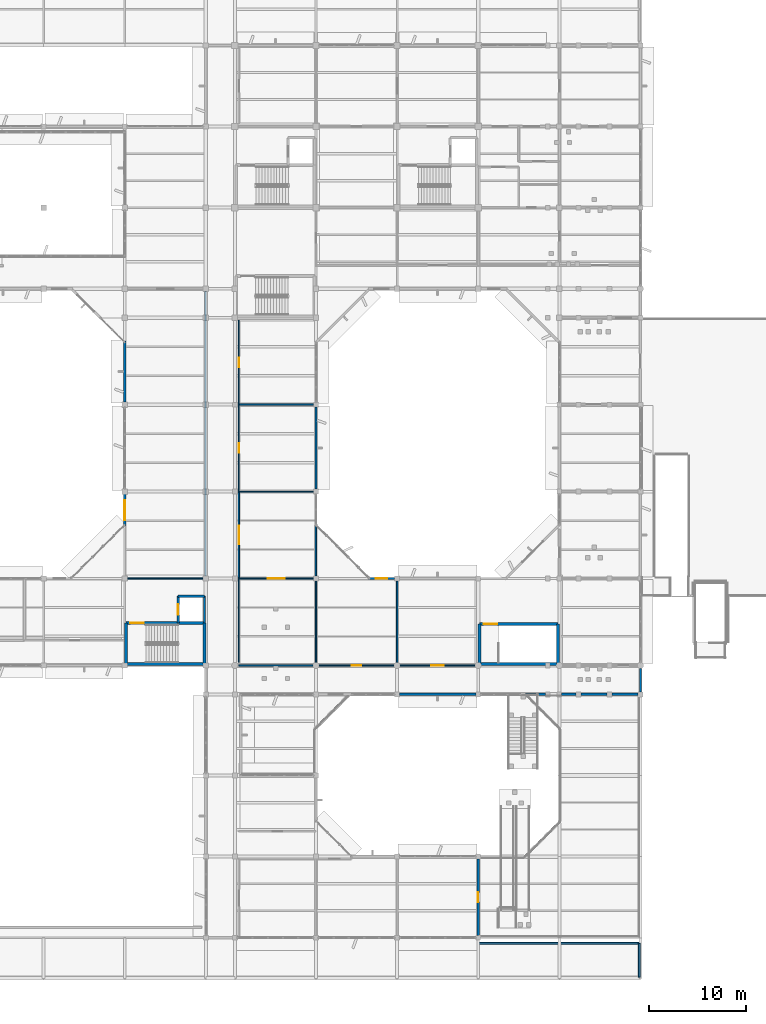
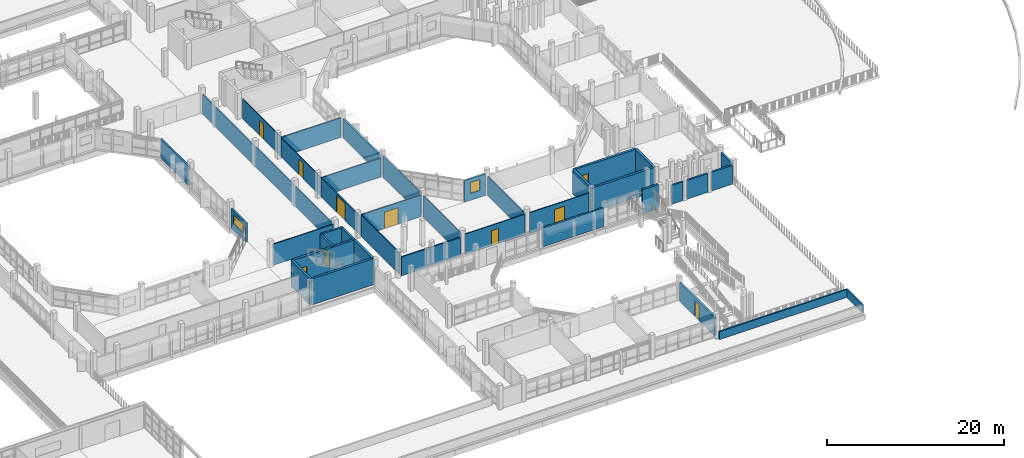
# One storey, part 60 of 92: 39 walls, 10 doors, 2 windows, 12 openings.
"""IFC4 building model written with IfcOpenShell, lengths in metres."""

import ifcopenshell
import ifcopenshell.guid

model = None  # the IFC model being written
_history = None  # IfcOwnerHistory: only IFC2X3 demands one
_inside = {}  # id of a spatial element -> (the spatial element, [elements in it])
_under = {}  # id of a project, library or spatial element -> (it, [spatial elements below it])
_declared = {}  # id of a project -> (the project, [libraries it declares])
_typed = {}  # id of a type object -> (the type object, [elements of that type])
_made_of = {}  # id of a material, layer set ... -> (it, [elements and type objects made of it])


def new_model(schema):
    """Start an empty IFC model of exactly this schema.

    Asked for "IFC4X3", IfcOpenShell would pick the latest addendum, in which some entities
    have other attributes; the version numbers below select the first issue.
    IFC2X3 requires an IfcOwnerHistory on every rooted entity: one is made here for all.
    """
    global model, _history
    if schema == "IFC4X3":
        model = ifcopenshell.file(schema_version=(4, 3, 0, 0))
    else:
        model = ifcopenshell.file(schema=schema)
    _inside.clear()
    _under.clear()
    _declared.clear()
    _typed.clear()
    _made_of.clear()
    _history = None
    if model.schema == "IFC2X3":
        org = make("IfcOrganization", Name="unknown")
        user = make(
            "IfcPersonAndOrganization",
            ThePerson=make("IfcPerson", FamilyName="unknown"),
            TheOrganization=org,
        )
        app = make(
            "IfcApplication",
            ApplicationDeveloper=org,
            Version="unknown",
            ApplicationFullName="unknown",
            ApplicationIdentifier="unknown",
        )
        _history = make(
            "IfcOwnerHistory",
            OwningUser=user,
            OwningApplication=app,
            ChangeAction="ADDED",
            CreationDate=0,
        )
    return model


def make(cls, **values):
    """One entity of the class cls with the attributes given. An attribute that is None is left unset."""
    return model.create_entity(
        cls, **{name: value for name, value in values.items() if value is not None}
    )


def rooted(cls, **values):
    """An entity with a GlobalId (a new one), such as an element, a storey or a relation."""
    return make(cls, GlobalId=ifcopenshell.guid.new(), OwnerHistory=_history, **values)


def si_unit(unit_type, name, prefix=None):
    """IfcSIUnit, for example si_unit("LENGTHUNIT", "METRE", prefix="MILLI")."""
    return make("IfcSIUnit", UnitType=unit_type, Prefix=prefix, Name=name)


def assignment(units):
    """IfcUnitAssignment: the units of a project."""
    return None if units is None else make("IfcUnitAssignment", Units=units)


def point(xyz):
    """IfcCartesianPoint."""
    return None if xyz is None else make("IfcCartesianPoint", Coordinates=xyz)


def direction(xyz):
    """IfcDirection."""
    return None if xyz is None else make("IfcDirection", DirectionRatios=xyz)


def frame(location, z_axis=None, x_axis=None):
    """IfcAxis2Placement3D, a coordinate frame: its origin and axes. An axis left out is left unset."""
    return make(
        "IfcAxis2Placement3D",
        Location=point(location),
        Axis=direction(z_axis),
        RefDirection=direction(x_axis),
    )


def frame_2d(location, x_axis=None):
    """IfcAxis2Placement2D, a coordinate frame in the plane: its origin and x axis."""
    return make(
        "IfcAxis2Placement2D", Location=point(location), RefDirection=direction(x_axis)
    )


def origin():
    """The frame at (0, 0, 0) with its axes left unset."""
    return frame((0.0, 0.0, 0.0))


def place(relative_to, where):
    """IfcLocalPlacement: puts the frame where relative to a parent placement (None: the world)."""
    return make(
        "IfcLocalPlacement", PlacementRelTo=relative_to, RelativePlacement=where
    )


def context(
    kind, dimensions, precision=None, world=None, true_north=None, identifier=None
):
    """IfcGeometricRepresentationContext, for example the 3D "Model" context."""
    return make(
        "IfcGeometricRepresentationContext",
        ContextIdentifier=identifier,
        ContextType=kind,
        CoordinateSpaceDimension=dimensions,
        Precision=precision,
        WorldCoordinateSystem=world,
        TrueNorth=true_north,
    )


def subcontext(parent, identifier, kind, view, scale=None):
    """IfcGeometricRepresentationSubContext, for example "Body" below "Model"."""
    return make(
        "IfcGeometricRepresentationSubContext",
        ContextIdentifier=identifier,
        ContextType=kind,
        ParentContext=parent,
        TargetScale=scale,
        TargetView=view,
    )


def project(units=None, contexts=None):
    """IfcProject with its units and contexts."""
    return rooted(
        "IfcProject",
        Name="project",
        RepresentationContexts=contexts,
        UnitsInContext=assignment(units),
    )


def spatial(cls, under=None, at=None, **own):
    """A site, building, storey or space (cls), placed at a placement, below another one or the project."""
    s = rooted(cls, ObjectPlacement=at, **own)
    if under is not None:
        _under.setdefault(under.id(), (under, []))[1].append(s)
    return s


def profile(cls, at=None, kind="AREA", **sizes):
    """A parametric profile (cls). Its sizes go by their IFC names, for example OverallWidth=200.0."""
    return make(cls, ProfileType=kind, Position=at, **sizes)


def rectangle(**sizes):
    """IfcRectangleProfileDef."""
    return profile("IfcRectangleProfileDef", **sizes)


def extrude(swept, where, along, depth):
    """IfcExtrudedAreaSolid: the profile swept, set in the frame where, extruded along a direction by depth."""
    return make(
        "IfcExtrudedAreaSolid",
        SweptArea=swept,
        Position=where,
        ExtrudedDirection=direction(along),
        Depth=depth,
    )


def shape(context_of_items, identifier, shape_type, items):
    """IfcShapeRepresentation: the items that make up one representation, for example the "Body"."""
    return make(
        "IfcShapeRepresentation",
        ContextOfItems=context_of_items,
        RepresentationIdentifier=identifier,
        RepresentationType=shape_type,
        Items=items,
    )


def material(Name=None, Category=None):
    """IfcMaterial."""
    return make("IfcMaterial", Name=Name, Category=Category)


def layer(
    of_material, thickness, ventilated=None, Name=None, Category=None, Priority=None
):
    """IfcMaterialLayer: one layer of a wall or slab, of a material (None: an air gap)."""
    return make(
        "IfcMaterialLayer",
        Material=of_material,
        LayerThickness=thickness,
        IsVentilated=ventilated,
        Name=Name,
        Category=Category,
        Priority=Priority,
    )


def layer_set(layers, Name=None):
    """IfcMaterialLayerSet."""
    return make("IfcMaterialLayerSet", MaterialLayers=layers, LayerSetName=Name)


def made_of(thing, what):
    """Note that an element or type object is made of a material, layer set ...; save() writes the relation."""
    if what is not None:
        _made_of.setdefault(what.id(), (what, []))[1].append(thing)
    return thing


def type_object(cls, material=None, **own):
    """A type object (cls), such as IfcWallType, which elements share."""
    return made_of(rooted(cls, **own), material)


def element(
    cls,
    number,
    at=None,
    inside=None,
    cuts=None,
    type_object=None,
    material=None,
    context=None,
    identifier="Body",
    shape_type=None,
    held_by="IfcProductDefinitionShape",
    body=None,
    shapes=None,
    **own,
):
    """One element of the class cls, such as IfcWall. Its Tag is "e" and its number.

    at: its placement. inside: the storey or other place that contains it. cuts: it is an
    opening in that element (IfcRelVoidsElement). A single representation is given by context,
    identifier, shape_type and body (its items); several are given by shapes. held_by: the class
    of the entity that holds the representations. save() writes the other relations.
    """
    e = rooted(cls, Tag="e%d" % number, ObjectPlacement=at, **own)
    if body is not None:
        shapes = [shape(context, identifier, shape_type, body)]
    if shapes is not None:
        e.Representation = make(held_by, Representations=shapes)
    if inside is not None:
        _inside.setdefault(inside.id(), (inside, []))[1].append(e)
    if cuts is not None:
        rooted(
            "IfcRelVoidsElement", RelatingBuildingElement=cuts, RelatedOpeningElement=e
        )
    if type_object is not None:
        _typed.setdefault(type_object.id(), (type_object, []))[1].append(e)
    return made_of(e, material)


def fill(opening, filler):
    """IfcRelFillsElement: the door or window that sits in an opening."""
    return rooted(
        "IfcRelFillsElement",
        RelatingOpeningElement=opening,
        RelatedBuildingElement=filler,
    )


def aggregate(whole, parts):
    """IfcRelAggregates: a whole, such as a stair, and the parts it consists of."""
    return rooted("IfcRelAggregates", RelatingObject=whole, RelatedObjects=parts)


def save(model, path):
    """Write the relations noted so far, then the file.

    IfcRelAggregates (storeys below a building ...), IfcRelContainedInSpatialStructure (elements
    in a storey), IfcRelDefinesByType, IfcRelAssociatesMaterial and IfcRelDeclares: one each for
    every whole, place, type object, material and project.
    """
    for whole, parts in _under.values():
        aggregate(whole, parts)
    for where, things in _inside.values():
        rooted(
            "IfcRelContainedInSpatialStructure",
            RelatedElements=things,
            RelatingStructure=where,
        )
    for kind, things in _typed.values():
        rooted("IfcRelDefinesByType", RelatedObjects=things, RelatingType=kind)
    for what, things in _made_of.values():
        rooted("IfcRelAssociatesMaterial", RelatedObjects=things, RelatingMaterial=what)
    for by, libraries in _declared.values():
        rooted("IfcRelDeclares", RelatingContext=by, RelatedDefinitions=libraries)
    model.write(path)


model = new_model("IFC4")

# Units and contexts
model_context = context("Model", 3, precision=1e-05, world=origin(), true_north=direction((0.0, 1.0)))
body_context = subcontext(model_context, "Body", "Model", "MODEL_VIEW")
ifc_project = project(units=[si_unit("LENGTHUNIT", "METRE"), si_unit("AREAUNIT", "SQUARE_METRE"), si_unit("VOLUMEUNIT", "CUBIC_METRE"), si_unit("PLANEANGLEUNIT", "RADIAN"), si_unit("MASSUNIT", "GRAM", prefix="KILO")], contexts=[model_context])

# Site, building, storey
site_placement = place(None, origin())
site = spatial("IfcSite", under=ifc_project, at=site_placement, CompositionType="ELEMENT")
building_placement = place(site_placement, origin())
building = spatial("IfcBuilding", under=site, at=building_placement, Name="Vanh Quang Courtyard School", CompositionType="ELEMENT")
storey_placement = place(building_placement, frame((0.0, 0.0, 7.800048828125)))
storey = spatial("IfcBuildingStorey", under=building, at=storey_placement, Name="L02", CompositionType="ELEMENT", Elevation=7.800048828125)

# Walls
ifc_material_1 = material(Name="Concrete C35/45", Category="concrete")
ifc_layer_1 = layer(ifc_material_1, 0.300048828125)
ifc_layer_set_1 = layer_set([ifc_layer_1], Name="Concrete C35/45")
wall_type_1 = type_object("IfcWallType", Name="W-CORE-300", PredefinedType="SHEAR", material=ifc_layer_set_1)
wall_1_placement = place(storey_placement, frame((66.139892578125, 32.5400390625, 0.0), z_axis=(0.0, 0.0, 1.0), x_axis=(1.0, 0.0, 0.0)))
element("IfcWall", 1, at=wall_1_placement, inside=storey, type_object=wall_type_1, Name="Wall W-CORE1 (L02)", PredefinedType="SHEAR", context=body_context, shape_type="SweptSolid", body=[
    extrude(rectangle(XDim=8.1201171875, YDim=0.300048828125, at=frame_2d((4.06005859375, 0.0))), origin(), (0.0, 0.0, 1.0), 3.599853515625),
])
wall_2_placement = place(storey_placement, frame((74.260009765625, 32.5400390625, 0.0), z_axis=(0.0, 0.0, 1.0), x_axis=(0.0, 1.0, 0.0)))
element("IfcWall", 2, at=wall_2_placement, inside=storey, type_object=wall_type_1, Name="Wall W-CORE1 (L02)", PredefinedType="SHEAR", context=body_context, shape_type="SweptSolid", body=[
    extrude(rectangle(XDim=4.239990234375, YDim=0.300048828125, at=frame_2d((2.1201171875, 0.0))), origin(), (0.0, 0.0, 1.0), 3.599853515625),
])

# Wall, opening, door
wall_3_placement = place(storey_placement, frame((74.260009765625, 36.780029296875, 0.0), z_axis=(0.0, 0.0, 1.0), x_axis=(-1.0, 0.0, 0.0)))
wall_3 = element("IfcWall", 3, at=wall_3_placement, inside=storey, type_object=wall_type_1, Name="Wall W-CORE1 (L02)", PredefinedType="SHEAR", context=body_context, shape_type="SweptSolid", body=[
    extrude(rectangle(XDim=8.1201171875, YDim=0.300048828125, at=frame_2d((4.06005859375, 0.0))), origin(), (0.0, 0.0, 1.0), 3.599853515625),
])
opening_1_placement = place(wall_3_placement, frame((6.27001953125, 0.0, 0.0)))
opening_1 = element("IfcOpeningElement", 4, at=opening_1_placement, cuts=wall_3, Name="Opening L02-DS4", PredefinedType="OPENING", context=body_context, shape_type="SweptSolid", body=[
    extrude(rectangle(XDim=1.419921875, YDim=2.14990234375, at=frame_2d((0.7099609375, 1.074951171875))), frame((0.0, 0.16015625, 0.0), z_axis=(0.0, -1.0, 0.0), x_axis=(1.0, 0.0, 0.0)), (0.0, 0.0, 1.0), 0.320068359375),
])
ifc_material_2 = material(Name="Painted galvanised steel fire door", Category="steel")
door_type_1 = type_object("IfcDoorType", Name="IDR-ST-1420x2150", OperationType="NOTDEFINED", PredefinedType="DOOR", material=ifc_material_2)
door_1_placement = place(opening_1_placement, frame((1.419921875, 0.0, 0.0), z_axis=(0.0, 0.0, 1.0), x_axis=(-1.0, 0.0, 0.0)))
door_1 = element("IfcDoor", 5, at=door_1_placement, inside=storey, type_object=door_type_1, Name="Door L02-DS4 (L02)", OperationType="SINGLE_SWING_RIGHT", OverallHeight=2.14990234375, OverallWidth=1.419921875, PredefinedType="DOOR", context=body_context, shape_type="SweptSolid", body=[
    extrude(rectangle(XDim=1.419921875, YDim=2.14990234375, at=frame_2d((0.7099609375, 1.074951171875))), frame((0.0, 0.02490234375, 0.0), z_axis=(0.0, -1.0, 0.0), x_axis=(1.0, 0.0, 0.0)), (0.0, 0.0, 1.0), 0.050048828125),
])
fill(opening_1, door_1)

# Walls
wall_4_placement = place(storey_placement, frame((66.139892578125, 36.780029296875, 0.0), z_axis=(0.0, 0.0, 1.0), x_axis=(0.0, -1.0, 0.0)))
element("IfcWall", 6, at=wall_4_placement, inside=storey, type_object=wall_type_1, Name="Wall W-CORE1 (L02)", PredefinedType="SHEAR", context=body_context, shape_type="SweptSolid", body=[
    extrude(rectangle(XDim=4.239990234375, YDim=0.300048828125, at=frame_2d((2.1201171875, 0.0))), origin(), (0.0, 0.0, 1.0), 3.599853515625),
])
wall_5_placement = place(storey_placement, frame((102.739990234375, 32.5400390625, 0.0), z_axis=(0.0, 0.0, 1.0), x_axis=(1.0, 0.0, 0.0)))
element("IfcWall", 7, at=wall_5_placement, inside=storey, type_object=wall_type_1, Name="Wall W-CORE1 (L02)", PredefinedType="SHEAR", context=body_context, shape_type="SweptSolid", body=[
    extrude(rectangle(XDim=8.1201171875, YDim=0.300048828125, at=frame_2d((4.06005859375, 0.0))), origin(), (0.0, 0.0, 1.0), 3.33984375),
])
wall_6_placement = place(storey_placement, frame((110.860107421875, 32.5400390625, 0.0), z_axis=(0.0, 0.0, 1.0), x_axis=(0.0, 1.0, 0.0)))
element("IfcWall", 8, at=wall_6_placement, inside=storey, type_object=wall_type_1, Name="Wall W-CORE1 (L02)", PredefinedType="SHEAR", context=body_context, shape_type="SweptSolid", body=[
    extrude(rectangle(XDim=4.139892578125, YDim=0.300048828125, at=frame_2d((2.06982421875, 0.0))), origin(), (0.0, 0.0, 1.0), 3.33984375),
])

# Wall, opening, door
wall_7_placement = place(storey_placement, frame((110.860107421875, 36.679931640625, 0.0), z_axis=(0.0, 0.0, 1.0), x_axis=(-1.0, 0.0, 0.0)))
wall_7 = element("IfcWall", 9, at=wall_7_placement, inside=storey, type_object=wall_type_1, Name="Wall W-CORE1 (L02)", PredefinedType="SHEAR", context=body_context, shape_type="SweptSolid", body=[
    extrude(rectangle(XDim=8.1201171875, YDim=0.300048828125, at=frame_2d((4.06005859375, 0.0))), origin(), (0.0, 0.0, 1.0), 3.33984375),
])
opening_2_placement = place(wall_7_placement, frame((6.27001953125, 0.0, 0.0)))
opening_2 = element("IfcOpeningElement", 10, at=opening_2_placement, cuts=wall_7, Name="Opening L02-DS8", PredefinedType="OPENING", context=body_context, shape_type="SweptSolid", body=[
    extrude(rectangle(XDim=1.419921875, YDim=2.14990234375, at=frame_2d((0.7099609375, 1.074951171875))), frame((0.0, 0.16015625, 0.0), z_axis=(0.0, -1.0, 0.0), x_axis=(1.0, 0.0, 0.0)), (0.0, 0.0, 1.0), 0.320068359375),
])
door_2_placement = place(opening_2_placement, frame((1.419921875, 0.0, 0.0), z_axis=(0.0, 0.0, 1.0), x_axis=(-1.0, 0.0, 0.0)))
door_2 = element("IfcDoor", 11, at=door_2_placement, inside=storey, type_object=door_type_1, Name="Door L02-DS8 (L02)", OperationType="SINGLE_SWING_LEFT", OverallHeight=2.14990234375, OverallWidth=1.419921875, PredefinedType="DOOR", context=body_context, shape_type="SweptSolid", body=[
    extrude(rectangle(XDim=1.419921875, YDim=2.14990234375, at=frame_2d((0.7099609375, 1.074951171875))), frame((0.0, 0.02490234375, 0.0), z_axis=(0.0, -1.0, 0.0), x_axis=(1.0, 0.0, 0.0)), (0.0, 0.0, 1.0), 0.050048828125),
])
fill(opening_2, door_2)

# Walls
wall_8_placement = place(storey_placement, frame((102.739990234375, 36.679931640625, 0.0), z_axis=(0.0, 0.0, 1.0), x_axis=(0.0, -1.0, 0.0)))
element("IfcWall", 12, at=wall_8_placement, inside=storey, type_object=wall_type_1, Name="Wall W-CORE1 (L02)", PredefinedType="SHEAR", context=body_context, shape_type="SweptSolid", body=[
    extrude(rectangle(XDim=4.139892578125, YDim=0.300048828125, at=frame_2d((2.06982421875, 0.0))), origin(), (0.0, 0.0, 1.0), 3.33984375),
])
ifc_material_3 = material(Name="Precast concrete C40/50", Category="concrete")
ifc_layer_2 = layer(ifc_material_3, 0.239990234375)
ifc_layer_set_2 = layer_set([ifc_layer_2], Name="Precast concrete C40/50")
wall_type_2 = type_object("IfcWallType", Name="W-EXT-240", PredefinedType="SOLIDWALL", material=ifc_layer_set_2)
wall_9_placement = place(storey_placement, frame((119.152099609375, 29.39990234375, 0.0), z_axis=(0.0, 0.0, 1.0), x_axis=(-1.0, 0.0, 0.0)))
element("IfcWall", 13, at=wall_9_placement, inside=storey, type_object=wall_type_2, Name="Wall WE-03 (L02)", PredefinedType="SOLIDWALL", context=body_context, shape_type="SweptSolid", body=[
    extrude(rectangle(XDim=2.7041015625, YDim=0.239990234375, at=frame_2d((1.35205078125, 0.0))), origin(), (0.0, 0.0, 1.0), 2.579833984375),
])
wall_10_placement = place(storey_placement, frame((115.951904296875, 29.39990234375, 0.0), z_axis=(0.0, 0.0, 1.0), x_axis=(-1.0, 0.0, 0.0)))
element("IfcWall", 14, at=wall_10_placement, inside=storey, type_object=wall_type_2, Name="Wall WE-03 (L02)", PredefinedType="SOLIDWALL", context=body_context, shape_type="SweptSolid", body=[
    extrude(rectangle(XDim=2.703857421875, YDim=0.239990234375, at=frame_2d((1.35205078125, 0.0))), origin(), (0.0, 0.0, 1.0), 2.579833984375),
])
wall_11_placement = place(storey_placement, frame((112.751953125, 29.39990234375, 0.0), z_axis=(0.0, 0.0, 1.0), x_axis=(-1.0, 0.0, 0.0)))
element("IfcWall", 15, at=wall_11_placement, inside=storey, type_object=wall_type_2, Name="Wall WE-03 (L02)", PredefinedType="SOLIDWALL", context=body_context, shape_type="SweptSolid", body=[
    extrude(rectangle(XDim=1.50390625, YDim=0.239990234375, at=frame_2d((0.751953125, 0.0))), origin(), (0.0, 0.0, 1.0), 2.579833984375),
])
wall_12_placement = place(storey_placement, frame((109.552001953125, 29.39990234375, 0.0), z_axis=(0.0, 0.0, 1.0), x_axis=(-1.0, 0.0, 0.0)))
element("IfcWall", 16, at=wall_12_placement, inside=storey, type_object=wall_type_2, Name="Wall WE-03 (L02)", PredefinedType="SOLIDWALL", context=body_context, shape_type="SweptSolid", body=[
    extrude(rectangle(XDim=2.0791015625, YDim=0.239990234375, at=frame_2d((1.03955078125, 0.0))), origin(), (0.0, 0.0, 1.0), 3.33984375),
])
wall_13_placement = place(storey_placement, frame((102.35205078125, 29.39990234375, 0.0), z_axis=(0.0, 0.0, 1.0), x_axis=(-1.0, 0.0, 0.0)))
element("IfcWall", 17, at=wall_13_placement, inside=storey, type_object=wall_type_2, Name="Wall WE-03 (L02)", PredefinedType="SOLIDWALL", context=body_context, shape_type="SweptSolid", body=[
    extrude(rectangle(XDim=7.904052734375, YDim=0.239990234375, at=frame_2d((3.9521484375, 0.0))), origin(), (0.0, 0.0, 1.0), 2.579833984375),
])

# Wall, opening, door
wall_14_placement = place(storey_placement, frame((102.60009765625, 12.35205078125, 0.0), z_axis=(0.0, 0.0, 1.0), x_axis=(0.0, -1.0, 0.0)))
wall_14 = element("IfcWall", 18, at=wall_14_placement, inside=storey, type_object=wall_type_2, Name="Wall WE-03 (L02)", PredefinedType="SOLIDWALL", context=body_context, shape_type="SweptSolid", body=[
    extrude(rectangle(XDim=7.904052734375, YDim=0.239990234375, at=frame_2d((3.9521484375, 0.0))), origin(), (0.0, 0.0, 1.0), 2.579833984375),
])
opening_3_placement = place(wall_14_placement, frame((3.451904296875, 0.0, 0.0)))
opening_3 = element("IfcOpeningElement", 19, at=opening_3_placement, cuts=wall_14, Name="Opening L02-PD050", PredefinedType="OPENING", context=body_context, shape_type="SweptSolid", body=[
    extrude(rectangle(XDim=1.0, YDim=2.14990234375, at=frame_2d((0.5, 1.074951171875))), frame((0.0, 0.1298828125, 0.0), z_axis=(0.0, -1.0, 0.0), x_axis=(1.0, 0.0, 0.0)), (0.0, 0.0, 1.0), 0.260009765625),
])
ifc_material_4 = material(Name="Thermally broken aluminium and laminated safety glass", Category="aluminium")
door_type_2 = type_object("IfcDoorType", Name="EDR-TYP-01", OperationType="NOTDEFINED", PredefinedType="DOOR", material=ifc_material_4)
door_3_placement = place(opening_3_placement, origin())
door_3 = element("IfcDoor", 20, at=door_3_placement, inside=storey, type_object=door_type_2, Name="Door L02-PD050 (L02)", OperationType="SINGLE_SWING_LEFT", OverallHeight=2.14990234375, OverallWidth=1.0, PredefinedType="DOOR", context=body_context, shape_type="SweptSolid", body=[
    extrude(rectangle(XDim=1.0, YDim=2.14990234375, at=frame_2d((0.5, 1.074951171875))), frame((0.0, 0.02490234375, 0.0), z_axis=(0.0, -1.0, 0.0), x_axis=(1.0, 0.0, 0.0)), (0.0, 0.0, 1.0), 0.050048828125),
])
fill(opening_3, door_3)

# Wall
wall_15_placement = place(storey_placement, frame((119.39990234375, 32.076904296875, 0.0), z_axis=(0.0, 0.0, 1.0), x_axis=(0.0, -1.0, 0.0)))
element("IfcWall", 21, at=wall_15_placement, inside=storey, type_object=wall_type_2, Name="Wall WE-03 (L02)", PredefinedType="SOLIDWALL", context=body_context, shape_type="SweptSolid", body=[
    extrude(rectangle(XDim=2.428955078125, YDim=0.239990234375, at=frame_2d((1.21435546875, 0.0))), origin(), (0.0, 0.0, 1.0), 2.579833984375),
])

# Wall, opening, window
wall_16_placement = place(storey_placement, frame((66.0, 46.823974609375, 0.0), z_axis=(0.0, 0.0, 1.0), x_axis=(0.0, 1.0, 0.0)))
wall_16 = element("IfcWall", 22, at=wall_16_placement, inside=storey, type_object=wall_type_2, Name="Wall WE-03 (L02)", PredefinedType="SOLIDWALL", context=body_context, shape_type="SweptSolid", body=[
    extrude(rectangle(XDim=3.302978515625, YDim=0.239990234375, at=frame_2d((1.6513671875, 0.0))), origin(), (0.0, 0.0, 1.0), 2.64990234375),
])
opening_4_placement = place(wall_16_placement, frame((0.6015625, 0.0, 0.949951171875)))
opening_4 = element("IfcOpeningElement", 23, at=opening_4_placement, cuts=wall_16, Name="Opening WN-04", PredefinedType="OPENING", context=body_context, shape_type="SweptSolid", body=[
    extrude(rectangle(XDim=2.10009765625, YDim=1.199951171875, at=frame_2d((1.050048828125, 0.60009765625))), frame((0.0, 0.1298828125, 0.0), z_axis=(0.0, -1.0, 0.0), x_axis=(1.0, 0.0, 0.0)), (0.0, 0.0, 1.0), 0.260009765625),
])
ifc_material_5 = material(Name="Anodised aluminium and low-E double glazing", Category="aluminium")
window_type_1 = type_object("IfcWindowType", Name="WIN-TYP-04", PartitioningType="SINGLE_PANEL", PredefinedType="WINDOW", material=ifc_material_5)
window_1_placement = place(opening_4_placement, origin())
window_1 = element("IfcWindow", 24, at=window_1_placement, inside=storey, type_object=window_type_1, Name="Window WN-04 (L02)", OverallHeight=1.199951171875, OverallWidth=2.10009765625, PartitioningType="SINGLE_PANEL", PredefinedType="WINDOW", context=body_context, shape_type="SweptSolid", body=[
    extrude(rectangle(XDim=2.10009765625, YDim=1.199951171875, at=frame_2d((1.050048828125, 0.60009765625))), frame((0.0, 0.030029296875, 0.0), z_axis=(0.0, -1.0, 0.0), x_axis=(1.0, 0.0, 0.0)), (0.0, 0.0, 1.0), 0.06005859375),
])
fill(opening_4, window_1)

# Wall
wall_17_placement = place(storey_placement, frame((66.0, 59.673095703125, 0.0), z_axis=(0.0, 0.0, 1.0), x_axis=(0.0, 1.0, 0.0)))
element("IfcWall", 25, at=wall_17_placement, inside=storey, type_object=wall_type_2, Name="Wall WE-03 (L02)", PredefinedType="SOLIDWALL", context=body_context, shape_type="SweptSolid", body=[
    extrude(rectangle(XDim=6.302978515625, YDim=0.239990234375, at=frame_2d((3.1513671875, 0.0))), origin(), (0.0, 0.0, 1.0), 2.599853515625),
])

# Wall, opening, window
wall_18_placement = place(storey_placement, frame((91.22412109375, 41.39990234375, 0.0), z_axis=(0.0, 0.0, 1.0), x_axis=(1.0, 0.0, 0.0)))
wall_18 = element("IfcWall", 26, at=wall_18_placement, inside=storey, type_object=wall_type_2, Name="Wall WE-03 (L02)", PredefinedType="SOLIDWALL", context=body_context, shape_type="SweptSolid", body=[
    extrude(rectangle(XDim=2.727783203125, YDim=0.239990234375, at=frame_2d((1.36376953125, 0.0))), origin(), (0.0, 0.0, 1.0), 2.949951171875),
])
opening_5_placement = place(wall_18_placement, frame((0.763916015625, 0.0, 0.949951171875)))
opening_5 = element("IfcOpeningElement", 27, at=opening_5_placement, cuts=wall_18, Name="Opening WN-10", PredefinedType="OPENING", context=body_context, shape_type="SweptSolid", body=[
    extrude(rectangle(XDim=1.199951171875, YDim=1.5, at=frame_2d((0.60009765625, 0.75))), frame((0.0, 0.1298828125, 0.0), z_axis=(0.0, -1.0, 0.0), x_axis=(1.0, 0.0, 0.0)), (0.0, 0.0, 1.0), 0.260009765625),
])
window_type_2 = type_object("IfcWindowType", Name="WIN-TYP-10", PartitioningType="SINGLE_PANEL", PredefinedType="WINDOW", material=ifc_material_5)
window_2_placement = place(opening_5_placement, origin())
window_2 = element("IfcWindow", 28, at=window_2_placement, inside=storey, type_object=window_type_2, Name="Window WN-10 (L02)", OverallHeight=1.5, OverallWidth=1.199951171875, PartitioningType="SINGLE_PANEL", PredefinedType="WINDOW", context=body_context, shape_type="SweptSolid", body=[
    extrude(rectangle(XDim=1.199951171875, YDim=1.5, at=frame_2d((0.60009765625, 0.75))), frame((0.0, 0.030029296875, 0.0), z_axis=(0.0, -1.0, 0.0), x_axis=(1.0, 0.0, 0.0)), (0.0, 0.0, 1.0), 0.06005859375),
])
fill(opening_5, window_2)

# Walls
wall_19_placement = place(storey_placement, frame((85.800048828125, 59.152099609375, 0.0), z_axis=(0.0, 0.0, 1.0), x_axis=(0.0, -1.0, 0.0)))
element("IfcWall", 29, at=wall_19_placement, inside=storey, type_object=wall_type_2, Name="Wall WE-03 (L02)", PredefinedType="SOLIDWALL", context=body_context, shape_type="SweptSolid", body=[
    extrude(rectangle(XDim=8.504150390625, YDim=0.239990234375, at=frame_2d((4.251953125, 0.0))), origin(), (0.0, 0.0, 1.0), 2.639892578125),
])
ifc_layer_3 = layer(ifc_material_1, 0.199951171875)
ifc_layer_set_3 = layer_set([ifc_layer_3], Name="Concrete C35/45")
wall_type_3 = type_object("IfcWallType", Name="W-PAR-200", PredefinedType="PARAPET", material=ifc_layer_set_3)
wall_20_placement = place(storey_placement, frame((102.60009765625, 3.6298828125, 0.0), z_axis=(0.0, 0.0, 1.0), x_axis=(1.0, 0.0, 0.0)))
element("IfcWall", 30, at=wall_20_placement, inside=storey, type_object=wall_type_3, Name="Wall WP-01 (L02)", PredefinedType="PARAPET", context=body_context, shape_type="SweptSolid", body=[
    extrude(rectangle(XDim=16.679931640625, YDim=0.199951171875, at=frame_2d((8.33984375, 0.0))), origin(), (0.0, 0.0, 1.0), 1.099853515625),
])
wall_21_placement = place(storey_placement, frame((119.280029296875, 3.6298828125, 0.0), z_axis=(0.0, 0.0, 1.0), x_axis=(0.0, -1.0, 0.0)))
element("IfcWall", 31, at=wall_21_placement, inside=storey, type_object=wall_type_3, Name="Wall WP-01 (L02)", PredefinedType="PARAPET", context=body_context, shape_type="SweptSolid", body=[
    extrude(rectangle(XDim=3.509765625, YDim=0.199951171875, at=frame_2d((1.7548828125, 0.0))), origin(), (0.0, 0.0, 1.0), 1.099853515625),
])
ifc_material_6 = material(Name="Acoustic gypsum stud partition", Category="gypsum")
ifc_layer_4 = layer(ifc_material_6, 0.1201171875)
ifc_layer_set_4 = layer_set([ifc_layer_4], Name="Acoustic gypsum stud partition")
wall_type_4 = type_object("IfcWallType", Name="W-PART-120", PredefinedType="PARTITIONING", material=ifc_layer_set_4)
wall_22_placement = place(storey_placement, frame((74.126953125, 41.39990234375, 0.0), z_axis=(0.0, 0.0, 1.0), x_axis=(-1.0, 0.0, 0.0)))
element("IfcWall", 32, at=wall_22_placement, inside=storey, type_object=wall_type_4, Name="Wall W-PRT2 (L02)", PredefinedType="PARTITIONING", context=body_context, shape_type="SweptSolid", body=[
    extrude(rectangle(XDim=7.85400390625, YDim=0.1201171875, at=frame_2d((3.927001953125, 0.0))), origin(), (0.0, 0.0, 1.0), 2.909912109375),
])
wall_23_placement = place(storey_placement, frame((85.800048828125, 41.152099609375, 0.0), z_axis=(0.0, 0.0, 1.0), x_axis=(0.0, -1.0, 0.0)))
element("IfcWall", 33, at=wall_23_placement, inside=storey, type_object=wall_type_4, Name="Wall W-PRT2 (L02)", PredefinedType="PARTITIONING", context=body_context, shape_type="SweptSolid", body=[
    extrude(rectangle(XDim=8.42919921875, YDim=0.1201171875, at=frame_2d((4.214599609375, 0.0))), origin(), (0.0, 0.0, 1.0), 2.919921875),
])
wall_24_placement = place(storey_placement, frame((77.820068359375, 32.722900390625, 0.0), z_axis=(0.0, 0.0, 1.0), x_axis=(0.0, 1.0, 0.0)))
element("IfcWall", 34, at=wall_24_placement, inside=storey, type_object=wall_type_4, Name="Wall W-PRT2 (L02)", PredefinedType="PARTITIONING", context=body_context, shape_type="SweptSolid", body=[
    extrude(rectangle(XDim=8.677001953125, YDim=0.1201171875, at=frame_2d((4.33837890625, 0.0))), origin(), (0.0, 0.0, 1.0), 2.949951171875),
])
wall_25_placement = place(storey_placement, frame((77.820068359375, 50.39990234375, 0.0), z_axis=(0.0, 0.0, 1.0), x_axis=(1.0, 0.0, 0.0)))
element("IfcWall", 35, at=wall_25_placement, inside=storey, type_object=wall_type_4, Name="Wall W-PRT2 (L02)", PredefinedType="PARTITIONING", context=body_context, shape_type="SweptSolid", body=[
    extrude(rectangle(XDim=7.73193359375, YDim=0.1201171875, at=frame_2d((3.865966796875, 0.0))), origin(), (0.0, 0.0, 1.0), 2.58984375),
])

# Wall, opening, door
wall_26_placement = place(storey_placement, frame((77.820068359375, 50.419921875, 0.0), z_axis=(0.0, 0.0, 1.0), x_axis=(0.0, 1.0, 0.0)))
wall_26 = element("IfcWall", 36, at=wall_26_placement, inside=storey, type_object=wall_type_4, Name="Wall W-PRT2 (L02)", PredefinedType="PARTITIONING", context=body_context, shape_type="SweptSolid", body=[
    extrude(rectangle(XDim=8.97998046875, YDim=0.1201171875, at=frame_2d((4.489990234375, 0.0))), origin(), (0.0, 0.0, 1.0), 2.58984375),
])
opening_6_placement = place(wall_26_placement, frame((4.014892578125, 0.0, 0.0)))
opening_6 = element("IfcOpeningElement", 37, at=opening_6_placement, cuts=wall_26, Name="Opening L02-D109", PredefinedType="OPENING", context=body_context, shape_type="SweptSolid", body=[
    extrude(rectangle(XDim=0.949951171875, YDim=2.10009765625, at=frame_2d((0.47509765625, 1.050048828125))), frame((0.0, 0.070068359375, 0.0), z_axis=(0.0, -1.0, 0.0), x_axis=(1.0, 0.0, 0.0)), (0.0, 0.0, 1.0), 0.14013671875),
])
ifc_material_7 = material(Name="Solid-core hardwood acoustic door", Category="wood")
door_type_3 = type_object("IfcDoorType", Name="IDR-CLS-0950x2100", OperationType="NOTDEFINED", PredefinedType="DOOR", material=ifc_material_7)
door_4_placement = place(opening_6_placement, origin())
door_4 = element("IfcDoor", 38, at=door_4_placement, inside=storey, type_object=door_type_3, Name="Door L02-D109 (L02)", OperationType="SINGLE_SWING_RIGHT", OverallHeight=2.10009765625, OverallWidth=0.949951171875, PredefinedType="DOOR", context=body_context, shape_type="SweptSolid", body=[
    extrude(rectangle(XDim=0.949951171875, YDim=2.10009765625, at=frame_2d((0.47509765625, 1.050048828125))), frame((0.0, 0.02490234375, 0.0), z_axis=(0.0, -1.0, 0.0), x_axis=(1.0, 0.0, 0.0)), (0.0, 0.0, 1.0), 0.050048828125),
])
fill(opening_6, door_4)

wall_27_placement = place(storey_placement, frame((77.820068359375, 59.419921875, 0.0), z_axis=(0.0, 0.0, 1.0), x_axis=(0.0, 1.0, 0.0)))
wall_27 = element("IfcWall", 39, at=wall_27_placement, inside=storey, type_object=wall_type_4, Name="Wall W-PRT2 (L02)", PredefinedType="PARTITIONING", context=body_context, shape_type="SweptSolid", body=[
    extrude(rectangle(XDim=8.70703125, YDim=0.1201171875, at=frame_2d((4.353515625, 0.0))), origin(), (0.0, 0.0, 1.0), 2.68994140625),
])
opening_7_placement = place(wall_27_placement, frame((3.87841796875, 0.0, 0.0)))
opening_7 = element("IfcOpeningElement", 40, at=opening_7_placement, cuts=wall_27, Name="Opening L02-D110", PredefinedType="OPENING", context=body_context, shape_type="SweptSolid", body=[
    extrude(rectangle(XDim=0.949951171875, YDim=2.10009765625, at=frame_2d((0.47509765625, 1.050048828125))), frame((0.0, 0.070068359375, 0.0), z_axis=(0.0, -1.0, 0.0), x_axis=(1.0, 0.0, 0.0)), (0.0, 0.0, 1.0), 0.14013671875),
])
door_5_placement = place(opening_7_placement, origin())
door_5 = element("IfcDoor", 41, at=door_5_placement, inside=storey, type_object=door_type_3, Name="Door L02-D110 (L02)", OperationType="SINGLE_SWING_LEFT", OverallHeight=2.10009765625, OverallWidth=0.949951171875, PredefinedType="DOOR", context=body_context, shape_type="SweptSolid", body=[
    extrude(rectangle(XDim=0.949951171875, YDim=2.10009765625, at=frame_2d((0.47509765625, 1.050048828125))), frame((0.0, 0.02490234375, 0.0), z_axis=(0.0, -1.0, 0.0), x_axis=(1.0, 0.0, 0.0)), (0.0, 0.0, 1.0), 0.050048828125),
])
fill(opening_7, door_5)

wall_28_placement = place(storey_placement, frame((93.876953125, 32.39990234375, 0.0), z_axis=(0.0, 0.0, 1.0), x_axis=(-1.0, 0.0, 0.0)))
wall_28 = element("IfcWall", 42, at=wall_28_placement, inside=storey, type_object=wall_type_4, Name="Wall W-PRT2 (L02)", PredefinedType="PARTITIONING", context=body_context, shape_type="SweptSolid", body=[
    extrude(rectangle(XDim=7.75390625, YDim=0.1201171875, at=frame_2d((3.876953125, 0.0))), origin(), (0.0, 0.0, 1.0), 2.829833984375),
])
opening_8_placement = place(wall_28_placement, frame((3.402099609375, 0.0, 0.0)))
opening_8 = element("IfcOpeningElement", 43, at=opening_8_placement, cuts=wall_28, Name="Opening L02-D113", PredefinedType="OPENING", context=body_context, shape_type="SweptSolid", body=[
    extrude(rectangle(XDim=0.949951171875, YDim=2.10009765625, at=frame_2d((0.47509765625, 1.050048828125))), frame((0.0, 0.070068359375, 0.0), z_axis=(0.0, -1.0, 0.0), x_axis=(1.0, 0.0, 0.0)), (0.0, 0.0, 1.0), 0.14013671875),
])
door_6_placement = place(opening_8_placement, origin())
door_6 = element("IfcDoor", 44, at=door_6_placement, inside=storey, type_object=door_type_3, Name="Door L02-D113 (L02)", OperationType="SINGLE_SWING_RIGHT", OverallHeight=2.10009765625, OverallWidth=0.949951171875, PredefinedType="DOOR", context=body_context, shape_type="SweptSolid", body=[
    extrude(rectangle(XDim=0.949951171875, YDim=2.10009765625, at=frame_2d((0.47509765625, 1.050048828125))), frame((0.0, 0.02490234375, 0.0), z_axis=(0.0, -1.0, 0.0), x_axis=(1.0, 0.0, 0.0)), (0.0, 0.0, 1.0), 0.050048828125),
])
fill(opening_8, door_6)

wall_29_placement = place(storey_placement, frame((102.277099609375, 32.39990234375, 0.0), z_axis=(0.0, 0.0, 1.0), x_axis=(-1.0, 0.0, 0.0)))
wall_29 = element("IfcWall", 45, at=wall_29_placement, inside=storey, type_object=wall_type_4, Name="Wall W-PRT2 (L02)", PredefinedType="PARTITIONING", context=body_context, shape_type="SweptSolid", body=[
    extrude(rectangle(XDim=7.754150390625, YDim=0.1201171875, at=frame_2d((3.876953125, 0.0))), origin(), (0.0, 0.0, 1.0), 2.829833984375),
])
opening_9_placement = place(wall_29_placement, frame((3.22705078125, 0.0, 0.0)))
opening_9 = element("IfcOpeningElement", 46, at=opening_9_placement, cuts=wall_29, Name="Opening L02-D117", PredefinedType="OPENING", context=body_context, shape_type="SweptSolid", body=[
    extrude(rectangle(XDim=1.300048828125, YDim=2.14990234375, at=frame_2d((0.64990234375, 1.074951171875))), frame((0.0, 0.070068359375, 0.0), z_axis=(0.0, -1.0, 0.0), x_axis=(1.0, 0.0, 0.0)), (0.0, 0.0, 1.0), 0.14013671875),
])
door_type_4 = type_object("IfcDoorType", Name="IDR-STU-1300x2150", OperationType="NOTDEFINED", PredefinedType="DOOR", material=ifc_material_7)
door_7_placement = place(opening_9_placement, origin())
door_7 = element("IfcDoor", 47, at=door_7_placement, inside=storey, type_object=door_type_4, Name="Door L02-D117 (L02)", OperationType="SINGLE_SWING_RIGHT", OverallHeight=2.14990234375, OverallWidth=1.300048828125, PredefinedType="DOOR", context=body_context, shape_type="SweptSolid", body=[
    extrude(rectangle(XDim=1.300048828125, YDim=2.14990234375, at=frame_2d((0.64990234375, 1.074951171875))), frame((0.0, 0.02490234375, 0.0), z_axis=(0.0, -1.0, 0.0), x_axis=(1.0, 0.0, 0.0)), (0.0, 0.0, 1.0), 0.050048828125),
])
fill(opening_9, door_7)

# Wall
ifc_material_8 = material(Name="Autoclaved aerated masonry blockwork", Category="masonry")
ifc_layer_5 = layer(ifc_material_8, 0.14990234375)
ifc_layer_set_5 = layer_set([ifc_layer_5], Name="Autoclaved aerated masonry blockwork")
wall_type_5 = type_object("IfcWallType", Name="W-PART-150", PredefinedType="PARTITIONING", material=ifc_layer_set_5)
wall_30_placement = place(storey_placement, frame((74.3798828125, 71.126953125, 0.0), z_axis=(0.0, 0.0, 1.0), x_axis=(0.0, -1.0, 0.0)))
element("IfcWall", 48, at=wall_30_placement, inside=storey, type_object=wall_type_5, Name="Wall W-PRT1 (L02)", PredefinedType="PARTITIONING", context=body_context, shape_type="SweptSolid", body=[
    extrude(rectangle(XDim=29.453857421875, YDim=0.14990234375, at=frame_2d((14.72705078125, 0.0))), origin(), (0.0, 0.0, 1.0), 2.699951171875),
])

# Wall, opening, door
wall_31_placement = place(storey_placement, frame((77.820068359375, 41.39990234375, 0.0), z_axis=(0.0, 0.0, 1.0), x_axis=(1.0, 0.0, 0.0)))
wall_31 = element("IfcWall", 49, at=wall_31_placement, inside=storey, type_object=wall_type_5, Name="Wall W-PRT1 (L02)", PredefinedType="PARTITIONING", context=body_context, shape_type="SweptSolid", body=[
    extrude(rectangle(XDim=7.73193359375, YDim=0.14990234375, at=frame_2d((3.865966796875, 0.0))), origin(), (0.0, 0.0, 1.0), 2.949951171875),
])
opening_10_placement = place(wall_31_placement, frame((2.966064453125, 0.0, 0.0)))
opening_10 = element("IfcOpeningElement", 50, at=opening_10_placement, cuts=wall_31, Name="Opening L02-D107", PredefinedType="OPENING", context=body_context, shape_type="SweptSolid", body=[
    extrude(rectangle(XDim=1.800048828125, YDim=2.25, at=frame_2d((0.89990234375, 1.125))), frame((0.0, 0.0849609375, 0.0), z_axis=(0.0, -1.0, 0.0), x_axis=(1.0, 0.0, 0.0)), (0.0, 0.0, 1.0), 0.169921875),
])
door_type_5 = type_object("IfcDoorType", Name="IDR-FD-1800x2250", OperationType="NOTDEFINED", PredefinedType="DOOR", material=ifc_material_2)
door_8_placement = place(opening_10_placement, origin())
door_8 = element("IfcDoor", 51, at=door_8_placement, inside=storey, type_object=door_type_5, Name="Door L02-D107 (L02)", OperationType="DOUBLE_DOOR_SINGLE_SWING", OverallHeight=2.25, OverallWidth=1.800048828125, PredefinedType="DOOR", context=body_context, shape_type="SweptSolid", body=[
    extrude(rectangle(XDim=1.800048828125, YDim=2.25, at=frame_2d((0.89990234375, 1.125))), frame((0.0, 0.02490234375, 0.0), z_axis=(0.0, -1.0, 0.0), x_axis=(1.0, 0.0, 0.0)), (0.0, 0.0, 1.0), 0.050048828125),
])
fill(opening_10, door_8)

# Wall
wall_32_placement = place(storey_placement, frame((85.47705078125, 32.39990234375, 0.0), z_axis=(0.0, 0.0, 1.0), x_axis=(-1.0, 0.0, 0.0)))
element("IfcWall", 52, at=wall_32_placement, inside=storey, type_object=wall_type_5, Name="Wall W-PRT1 (L02)", PredefinedType="PARTITIONING", context=body_context, shape_type="SweptSolid", body=[
    extrude(rectangle(XDim=7.656982421875, YDim=0.14990234375, at=frame_2d((3.82861328125, 0.0))), origin(), (0.0, 0.0, 1.0), 2.579833984375),
])

# Wall, opening, door
wall_33_placement = place(storey_placement, frame((77.820068359375, 41.419921875, 0.0), z_axis=(0.0, 0.0, 1.0), x_axis=(0.0, 1.0, 0.0)))
wall_33 = element("IfcWall", 53, at=wall_33_placement, inside=storey, type_object=wall_type_5, Name="Wall W-PRT1 (L02)", PredefinedType="PARTITIONING", context=body_context, shape_type="SweptSolid", body=[
    extrude(rectangle(XDim=8.97998046875, YDim=0.14990234375, at=frame_2d((4.489990234375, 0.0))), origin(), (0.0, 0.0, 1.0), 2.58984375),
])
opening_11_placement = place(wall_33_placement, frame((3.5400390625, 0.0, 0.0)))
opening_11 = element("IfcOpeningElement", 54, at=opening_11_placement, cuts=wall_33, Name="Opening L02-D108", PredefinedType="OPENING", context=body_context, shape_type="SweptSolid", body=[
    extrude(rectangle(XDim=1.89990234375, YDim=2.300048828125, at=frame_2d((0.949951171875, 1.14990234375))), frame((0.0, 0.0849609375, 0.0), z_axis=(0.0, -1.0, 0.0), x_axis=(1.0, 0.0, 0.0)), (0.0, 0.0, 1.0), 0.169921875),
])
door_type_6 = type_object("IfcDoorType", Name="IDR-HAL-1900x2300", OperationType="NOTDEFINED", PredefinedType="DOOR", material=ifc_material_2)
door_9_placement = place(opening_11_placement, origin())
door_9 = element("IfcDoor", 55, at=door_9_placement, inside=storey, type_object=door_type_6, Name="Door L02-D108 (L02)", OperationType="DOUBLE_DOOR_SINGLE_SWING", OverallHeight=2.300048828125, OverallWidth=1.89990234375, PredefinedType="DOOR", context=body_context, shape_type="SweptSolid", body=[
    extrude(rectangle(XDim=1.89990234375, YDim=2.300048828125, at=frame_2d((0.949951171875, 1.14990234375))), frame((0.0, 0.02490234375, 0.0), z_axis=(0.0, -1.0, 0.0), x_axis=(1.0, 0.0, 0.0)), (0.0, 0.0, 1.0), 0.050048828125),
])
fill(opening_11, door_9)

# Walls
wall_34_placement = place(storey_placement, frame((85.800048828125, 50.152099609375, 0.0), z_axis=(0.0, 0.0, 1.0), x_axis=(0.0, -1.0, 0.0)))
element("IfcWall", 56, at=wall_34_placement, inside=storey, type_object=wall_type_5, Name="Wall W-PRT1 (L02)", PredefinedType="PARTITIONING", context=body_context, shape_type="SweptSolid", body=[
    extrude(rectangle(XDim=8.504150390625, YDim=0.14990234375, at=frame_2d((4.251953125, 0.0))), origin(), (0.0, 0.0, 1.0), 2.97998046875),
])
wall_35_placement = place(storey_placement, frame((77.820068359375, 59.39990234375, 0.0), z_axis=(0.0, 0.0, 1.0), x_axis=(1.0, 0.0, 0.0)))
element("IfcWall", 57, at=wall_35_placement, inside=storey, type_object=wall_type_5, Name="Wall W-PRT1 (L02)", PredefinedType="PARTITIONING", context=body_context, shape_type="SweptSolid", body=[
    extrude(rectangle(XDim=7.73193359375, YDim=0.14990234375, at=frame_2d((3.865966796875, 0.0))), origin(), (0.0, 0.0, 1.0), 2.68994140625),
])
wall_36_placement = place(storey_placement, frame((94.199951171875, 41.152099609375, 0.0), z_axis=(0.0, 0.0, 1.0), x_axis=(0.0, -1.0, 0.0)))
element("IfcWall", 58, at=wall_36_placement, inside=storey, type_object=wall_type_5, Name="Wall W-PRT1 (L02)", PredefinedType="PARTITIONING", context=body_context, shape_type="SweptSolid", body=[
    extrude(rectangle(XDim=8.42919921875, YDim=0.14990234375, at=frame_2d((4.214599609375, 0.0))), origin(), (0.0, 0.0, 1.0), 2.6298828125),
])

# Wall, opening, door
ifc_layer_6 = layer(ifc_material_1, 0.25)
ifc_layer_set_6 = layer_set([ifc_layer_6], Name="Concrete C35/45")
wall_type_6 = type_object("IfcWallType", Name="W-SHFT-250", PredefinedType="SHEAR", material=ifc_layer_set_6)
wall_37_placement = place(storey_placement, frame((71.52001953125, 39.580078125, 0.0), z_axis=(0.0, 0.0, 1.0), x_axis=(0.0, -1.0, 0.0)))
wall_37 = element("IfcWall", 59, at=wall_37_placement, inside=storey, type_object=wall_type_6, Name="Wall W-SHFT1 (L02)", PredefinedType="SHEAR", context=body_context, shape_type="SweptSolid", body=[
    extrude(rectangle(XDim=2.800048828125, YDim=0.25, at=frame_2d((1.39990234375, 0.0))), origin(), (0.0, 0.0, 1.0), 3.599853515625),
])
opening_12_placement = place(wall_37_placement, frame((0.85009765625, 0.0, 0.0)))
opening_12 = element("IfcOpeningElement", 60, at=opening_12_placement, cuts=wall_37, Name="Opening LD-04-L02", PredefinedType="OPENING", context=body_context, shape_type="SweptSolid", body=[
    extrude(rectangle(XDim=1.10009765625, YDim=2.14990234375, at=frame_2d((0.550048828125, 1.074951171875))), frame((0.0, 0.135009765625, 0.0), z_axis=(0.0, -1.0, 0.0), x_axis=(1.0, 0.0, 0.0)), (0.0, 0.0, 1.0), 0.27001953125),
])
door_type_7 = type_object("IfcDoorType", Name="IDR-LD-1100x2150", OperationType="NOTDEFINED", PredefinedType="DOOR", material=ifc_material_2)
door_10_placement = place(opening_12_placement, origin())
door_10 = element("IfcDoor", 61, at=door_10_placement, inside=storey, type_object=door_type_7, Name="Door LD-04-L02 (L02)", OperationType="DOUBLE_DOOR_SLIDING", OverallHeight=2.14990234375, OverallWidth=1.10009765625, PredefinedType="DOOR", context=body_context, shape_type="SweptSolid", body=[
    extrude(rectangle(XDim=1.10009765625, YDim=2.14990234375, at=frame_2d((0.550048828125, 1.074951171875))), frame((0.0, 0.02490234375, 0.0), z_axis=(0.0, -1.0, 0.0), x_axis=(1.0, 0.0, 0.0)), (0.0, 0.0, 1.0), 0.050048828125),
])
fill(opening_12, door_10)

# Walls
wall_38_placement = place(storey_placement, frame((74.260009765625, 39.580078125, 0.0), z_axis=(0.0, 0.0, 1.0), x_axis=(-1.0, 0.0, 0.0)))
element("IfcWall", 62, at=wall_38_placement, inside=storey, type_object=wall_type_6, Name="Wall W-SHFT1 (L02)", PredefinedType="SHEAR", context=body_context, shape_type="SweptSolid", body=[
    extrude(rectangle(XDim=2.739990234375, YDim=0.25, at=frame_2d((1.3701171875, 0.0))), origin(), (0.0, 0.0, 1.0), 3.599853515625),
])
wall_39_placement = place(storey_placement, frame((74.260009765625, 36.780029296875, 0.0), z_axis=(0.0, 0.0, 1.0), x_axis=(0.0, 1.0, 0.0)))
element("IfcWall", 63, at=wall_39_placement, inside=storey, type_object=wall_type_6, Name="Wall W-SHFT1 (L02)", PredefinedType="SHEAR", context=body_context, shape_type="SweptSolid", body=[
    extrude(rectangle(XDim=2.800048828125, YDim=0.25, at=frame_2d((1.39990234375, 0.0))), origin(), (0.0, 0.0, 1.0), 3.599853515625),
])

save(model, "model.ifc")
